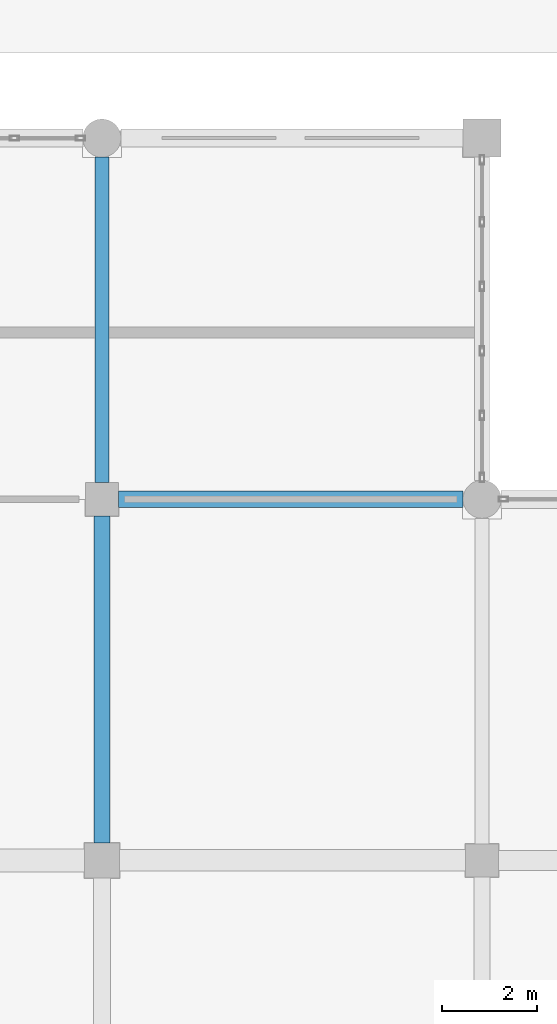
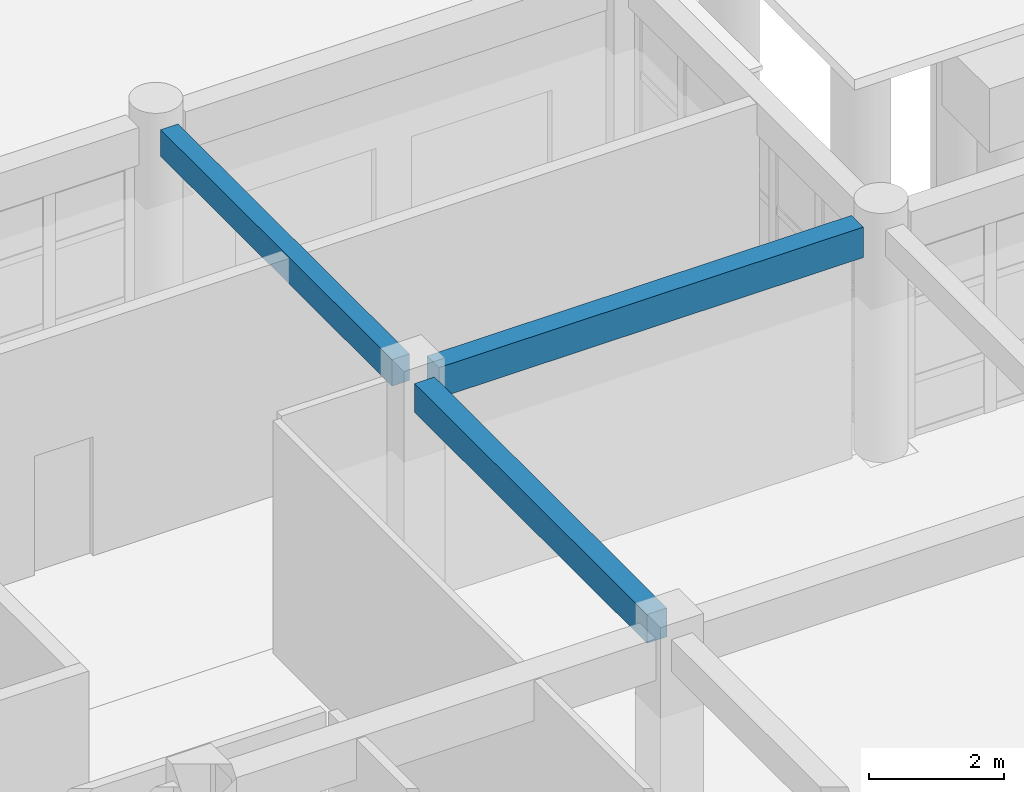
# One storey, part 83 of 166: 3 beams.
"""IFC4 building model written with IfcOpenShell, lengths in metres."""

from ifc_helpers import new_model, si_unit, direction, frame, origin, origin_2d, place, context, subcontext, project, spatial, rectangle, extrude, material, material_profile, profile_set, type_object, element, save


model = new_model("IFC4")

# Units and contexts
model_context = context("Model", 3, precision=1e-05, world=origin(), true_north=direction((0.0, 1.0)))
body_context = subcontext(model_context, "Body", "Model", "MODEL_VIEW")
ifc_project = project(units=[si_unit("LENGTHUNIT", "METRE"), si_unit("AREAUNIT", "SQUARE_METRE"), si_unit("VOLUMEUNIT", "CUBIC_METRE"), si_unit("PLANEANGLEUNIT", "RADIAN"), si_unit("MASSUNIT", "GRAM", prefix="KILO")], contexts=[model_context])

# Site, building, storey
site_placement = place(None, origin())
site = spatial("IfcSite", under=ifc_project, at=site_placement, CompositionType="ELEMENT")
building_placement = place(site_placement, origin())
building = spatial("IfcBuilding", under=site, at=building_placement, Name="Kharva Crest Polytechnic", CompositionType="ELEMENT")
storey_placement = place(building_placement, origin())
storey = spatial("IfcBuildingStorey", under=building, at=storey_placement, Name="L00", CompositionType="ELEMENT", Elevation=0.0)

# Beams
ifc_material = material(Name="Concrete C35/45", Category="concrete")
ifc_material_profile_1 = material_profile(ifc_material, rectangle(XDim=0.300048828125, YDim=0.47998046875, at=origin_2d()), Name="RECT 300 X 480")
ifc_profile_set_1 = profile_set([ifc_material_profile_1], Name="Concrete C35/45")
beam_type_1 = type_object("IfcBeamType", Name="BM-RC-300X480", PredefinedType="BEAM", material=ifc_profile_set_1)
beam_1_placement = place(storey_placement, frame((136.800048828125, 30.75, 3.97998046875), z_axis=(0.0, 1.0, 0.0), x_axis=(-1.0, 0.0, 0.0)))
element("IfcBeam", 1, at=beam_1_placement, inside=storey, type_object=beam_type_1, Name="L00 Girder 18/E-F", PredefinedType="BEAM", context=body_context, shape_type="SweptSolid", body=[
    extrude(rectangle(XDim=0.300048828125, YDim=0.47998046875, at=origin_2d()), origin(), (0.0, 0.0, 1.0), 6.85009765625),
])
ifc_material_profile_2 = material_profile(ifc_material, rectangle(XDim=0.340087890625, YDim=0.52001953125, at=origin_2d()), Name="RECT 340 X 520")
ifc_profile_set_2 = profile_set([ifc_material_profile_2], Name="Concrete C35/45")
beam_type_2 = type_object("IfcBeamType", Name="BM-RC-340X520", PredefinedType="BEAM", material=ifc_profile_set_2)
beam_2_placement = place(storey_placement, frame((136.800048828125, 23.169921875, 3.9599609375), z_axis=(0.0, 1.0, 0.0), x_axis=(-1.0, 0.0, 0.0)))
element("IfcBeam", 2, at=beam_2_placement, inside=storey, type_object=beam_type_2, Name="L00 Girder 18/D-E", PredefinedType="BEAM", context=body_context, shape_type="SweptSolid", body=[
    extrude(rectangle(XDim=0.340087890625, YDim=0.52001953125, at=origin_2d()), origin(), (0.0, 0.0, 1.0), 6.880126953125),
])
ifc_material_profile_3 = material_profile(ifc_material, rectangle(XDim=0.35009765625, YDim=0.550048828125, at=origin_2d()), Name="RECT 350 X 550")
ifc_profile_set_3 = profile_set([ifc_material_profile_3], Name="Concrete C35/45")
beam_type_3 = type_object("IfcBeamType", Name="BM-RC-350X550", PredefinedType="BEAM", material=ifc_profile_set_3)
beam_3_placement = place(storey_placement, frame((137.14990234375, 30.39990234375, 3.945068359375), z_axis=(1.0, 0.0, 0.0), x_axis=(0.0, 1.0, 0.0)))
element("IfcBeam", 3, at=beam_3_placement, inside=storey, type_object=beam_type_3, Name="L00 Beam E/18-19", PredefinedType="BEAM", context=body_context, shape_type="SweptSolid", body=[
    extrude(rectangle(XDim=0.35009765625, YDim=0.550048828125, at=origin_2d()), origin(), (0.0, 0.0, 1.0), 7.25),
])

save(model, "model.ifc")
